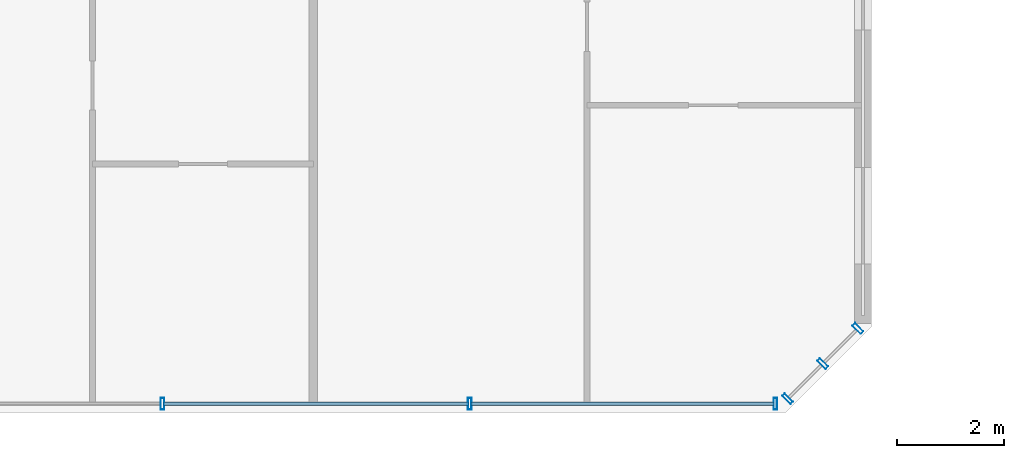
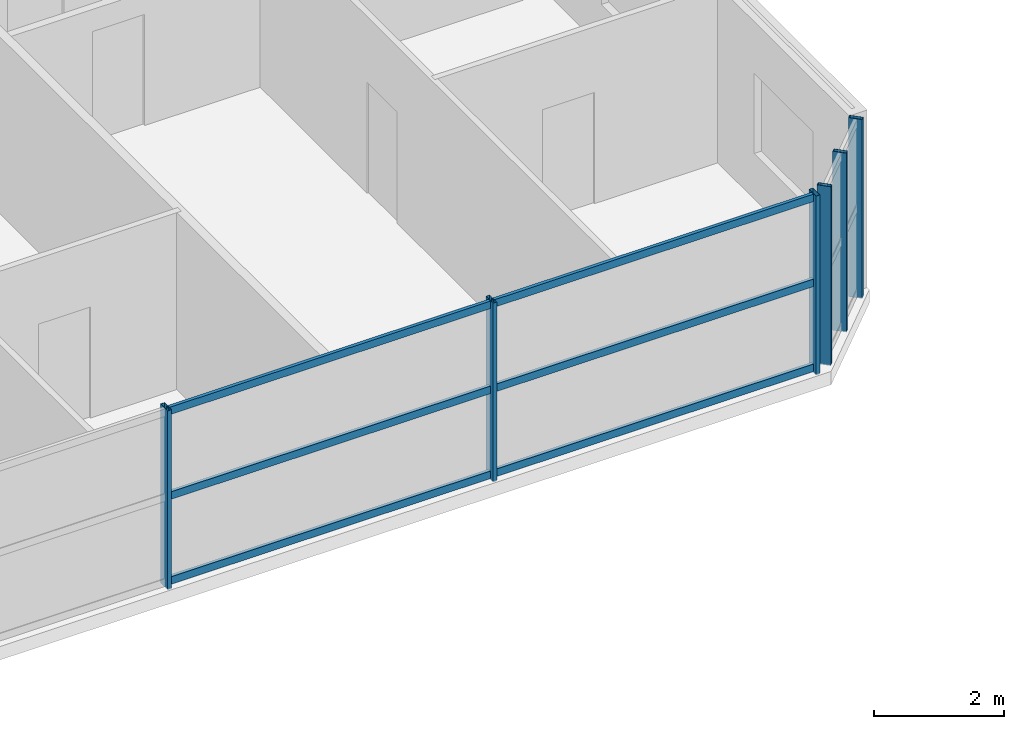
# One storey, part 6 of 21: 12 members, 2 elements without a shape of their own.
"""IFC4 building model written with IfcOpenShell, lengths in metres."""

from ifc_helpers import new_model, si_unit, direction, frame, origin, origin_2d, place, context, subcontext, project, spatial, hollow_rectangle, extrude, source, transform, mapped, material, material_profile, profile_set, type_object, element, aggregate, save


model = new_model("IFC4")

# Units and contexts
model_context = context("Model", 3, precision=1e-05, world=origin(), true_north=direction((0.0, 1.0)))
body_context = subcontext(model_context, "Body", "Model", "MODEL_VIEW")
ifc_project = project(units=[si_unit("LENGTHUNIT", "METRE"), si_unit("AREAUNIT", "SQUARE_METRE"), si_unit("VOLUMEUNIT", "CUBIC_METRE"), si_unit("PLANEANGLEUNIT", "RADIAN"), si_unit("MASSUNIT", "GRAM", prefix="KILO")], contexts=[model_context])

# Site, building, storey
site_placement = place(None, origin())
site = spatial("IfcSite", under=ifc_project, at=site_placement, CompositionType="ELEMENT")
building_placement = place(site_placement, origin())
building = spatial("IfcBuilding", under=site, at=building_placement, Name="Tlacorven Tower", CompositionType="ELEMENT")
storey_placement = place(building_placement, frame((0.0, 0.0, 81.0)))
storey = spatial("IfcBuildingStorey", under=building, at=storey_placement, Name="L20", CompositionType="ELEMENT", Elevation=81.0)

# Curtain wall, members
ifc_material_1 = material(Name="Dark solar low-E double glazing in aluminium frame", Category="aluminium")
curtain_wall_type = type_object("IfcCurtainWallType", Name="CW-TWR-LOW", PredefinedType="USERDEFINED", material=ifc_material_1)
curtain_wall_1_placement = place(storey_placement, origin())
curtain_wall_1 = element("IfcCurtainWall", 1, at=curtain_wall_1_placement, inside=storey, type_object=curtain_wall_type, Name="L20 CW-TWR-LOW Curtain Wall 108", ObjectType="UNITISED CURTAIN WALL", PredefinedType="USERDEFINED")
ifc_material_2 = material(Name="Aluminium 6063-T6 anodised", Category="aluminium")
ifc_material_profile_1 = material_profile(ifc_material_2, hollow_rectangle(XDim=0.06005859375, YDim=0.139892578125, WallThickness=0.00390625, at=origin_2d()), Name="ALU TRANSOM 60X140")
ifc_profile_set_1 = profile_set([ifc_material_profile_1], Name="Aluminium 6063-T6 anodised")
member_type_1 = type_object("IfcMemberType", Name="CWT-02", PredefinedType="USERDEFINED", material=ifc_profile_set_1)
shared_shape_1 = source(origin(), body_context, "Body", "SweptSolid", [
    extrude(hollow_rectangle(XDim=0.06005859375, YDim=0.139892578125, WallThickness=0.00390625, at=origin_2d()), origin(), (0.0, 0.0, 1.0), 5.6748046875),
])
member_1_placement = place(storey_placement, frame((50.57568359375, 1.9599609375, 0.070068359375), z_axis=(-1.0, 0.0, 0.0), x_axis=(0.0, -1.0, 0.0)))
member_1 = element("IfcMember", 2, at=member_1_placement, type_object=member_type_1, Name="CW-L20-108 Transom 1", ObjectType="TRANSOM", PredefinedType="USERDEFINED", context=body_context, shape_type="MappedRepresentation", body=[
    mapped(shared_shape_1, transform((0.0, 0.0, 0.0), scale=1.0)),
])
member_2_placement = place(storey_placement, frame((50.57568359375, 1.9599609375, 1.659912109375), z_axis=(-1.0, 0.0, 0.0), x_axis=(0.0, -1.0, 0.0)))
member_2 = element("IfcMember", 3, at=member_2_placement, type_object=member_type_1, Name="CW-L20-108 Transom 2", ObjectType="TRANSOM", PredefinedType="USERDEFINED", context=body_context, shape_type="MappedRepresentation", body=[
    mapped(shared_shape_1, transform((0.0, 0.0, 0.0), scale=1.0)),
])
member_3_placement = place(storey_placement, frame((50.57568359375, 1.9599609375, 3.25), z_axis=(-1.0, 0.0, 0.0), x_axis=(0.0, -1.0, 0.0)))
member_3 = element("IfcMember", 4, at=member_3_placement, type_object=member_type_1, Name="CW-L20-108 Transom 3", ObjectType="TRANSOM", PredefinedType="USERDEFINED", context=body_context, shape_type="MappedRepresentation", body=[
    mapped(shared_shape_1, transform((0.0, 0.0, 0.0), scale=1.0)),
])
shared_shape_2 = source(origin(), body_context, "Body", "SweptSolid", [
    extrude(hollow_rectangle(XDim=0.06005859375, YDim=0.139892578125, WallThickness=0.00390625, at=origin_2d()), origin(), (0.0, 0.0, 1.0), 5.7099609375),
])
member_4_placement = place(storey_placement, frame((44.85498046875, 1.9599609375, 0.070068359375), z_axis=(-1.0, 0.0, 0.0), x_axis=(0.0, -1.0, 0.0)))
member_4 = element("IfcMember", 5, at=member_4_placement, type_object=member_type_1, Name="CW-L20-108 Transom 4", ObjectType="TRANSOM", PredefinedType="USERDEFINED", context=body_context, shape_type="MappedRepresentation", body=[
    mapped(shared_shape_2, transform((0.0, 0.0, 0.0), scale=1.0)),
])
member_5_placement = place(storey_placement, frame((44.85498046875, 1.9599609375, 1.659912109375), z_axis=(-1.0, 0.0, 0.0), x_axis=(0.0, -1.0, 0.0)))
member_5 = element("IfcMember", 6, at=member_5_placement, type_object=member_type_1, Name="CW-L20-108 Transom 5", ObjectType="TRANSOM", PredefinedType="USERDEFINED", context=body_context, shape_type="MappedRepresentation", body=[
    mapped(shared_shape_2, transform((0.0, 0.0, 0.0), scale=1.0)),
])
member_6_placement = place(storey_placement, frame((44.85498046875, 1.9599609375, 3.25), z_axis=(-1.0, 0.0, 0.0), x_axis=(0.0, -1.0, 0.0)))
member_6 = element("IfcMember", 7, at=member_6_placement, type_object=member_type_1, Name="CW-L20-108 Transom 6", ObjectType="TRANSOM", PredefinedType="USERDEFINED", context=body_context, shape_type="MappedRepresentation", body=[
    mapped(shared_shape_2, transform((0.0, 0.0, 0.0), scale=1.0)),
])

curtain_wall_2_placement = place(storey_placement, origin())
curtain_wall_2 = element("IfcCurtainWall", 8, at=curtain_wall_2_placement, inside=storey, type_object=curtain_wall_type, Name="L20 CW-TWR-LOW Curtain Wall 107", ObjectType="UNITISED CURTAIN WALL", PredefinedType="USERDEFINED")
ifc_material_profile_2 = material_profile(ifc_material_2, hollow_rectangle(XDim=0.070068359375, YDim=0.219970703125, WallThickness=0.0048828125, at=origin_2d()), Name="ALU MULLION 70X220")
ifc_profile_set_2 = profile_set([ifc_material_profile_2], Name="Aluminium 6063-T6 anodised")
member_type_2 = type_object("IfcMemberType", Name="CWM-01", PredefinedType="MULLION", material=ifc_profile_set_2)
shared_shape_3 = source(origin(), body_context, "Body", "SweptSolid", [
    extrude(hollow_rectangle(XDim=0.070068359375, YDim=0.219970703125, WallThickness=0.0048828125, at=origin_2d()), origin(), (0.0, 0.0, 1.0), 3.35009765625),
])
member_7_placement = place(storey_placement, frame((52.14453125, 3.370849609375, -0.02001953125), z_axis=(0.0, 0.0, 1.0), x_axis=(-0.707106781187, -0.707106781187, 0.0)))
member_7 = element("IfcMember", 9, at=member_7_placement, type_object=member_type_2, Name="CW-L20-107 Mullion 1", PredefinedType="MULLION", context=body_context, shape_type="MappedRepresentation", body=[
    mapped(shared_shape_3, transform((0.0, 0.0, 0.0), scale=1.0)),
])
member_8_placement = place(storey_placement, frame((51.48681640625, 2.713134765625, -0.02001953125), z_axis=(0.0, 0.0, 1.0), x_axis=(-0.707106781187, -0.707106781187, 0.0)))
member_8 = element("IfcMember", 10, at=member_8_placement, type_object=member_type_2, Name="CW-L20-107 Mullion 2", PredefinedType="MULLION", context=body_context, shape_type="MappedRepresentation", body=[
    mapped(shared_shape_3, transform((0.0, 0.0, 0.0), scale=1.0)),
])
member_9_placement = place(storey_placement, frame((50.8291015625, 2.055419921875, -0.02001953125), z_axis=(0.0, 0.0, 1.0), x_axis=(-0.707106781187, -0.707106781187, 0.0)))
member_9 = element("IfcMember", 11, at=member_9_placement, type_object=member_type_2, Name="CW-L20-107 Mullion 3", PredefinedType="MULLION", context=body_context, shape_type="MappedRepresentation", body=[
    mapped(shared_shape_3, transform((0.0, 0.0, 0.0), scale=1.0)),
])
aggregate(curtain_wall_2, [member_7, member_8, member_9])

# Member
member_10_placement = place(storey_placement, frame((50.5986328125, 1.9599609375, -0.02001953125), z_axis=(0.0, 0.0, 1.0), x_axis=(-1.0, 0.0, 0.0)))
member_10 = element("IfcMember", 12, at=member_10_placement, type_object=member_type_2, Name="CW-L20-108 Mullion 1", PredefinedType="MULLION", context=body_context, shape_type="MappedRepresentation", body=[
    mapped(shared_shape_3, transform((0.0, 0.0, 0.0), scale=1.0)),
])

member_11_placement = place(storey_placement, frame((44.8779296875, 1.9599609375, -0.02001953125), z_axis=(0.0, 0.0, 1.0), x_axis=(-1.0, 0.0, 0.0)))
member_11 = element("IfcMember", 13, at=member_11_placement, type_object=member_type_2, Name="CW-L20-108 Mullion 2", PredefinedType="MULLION", context=body_context, shape_type="MappedRepresentation", body=[
    mapped(shared_shape_3, transform((0.0, 0.0, 0.0), scale=1.0)),
])

member_12_placement = place(storey_placement, frame((39.1220703125, 1.9599609375, -0.02001953125), z_axis=(0.0, 0.0, 1.0), x_axis=(-1.0, 0.0, 0.0)))
member_12 = element("IfcMember", 14, at=member_12_placement, type_object=member_type_2, Name="CW-L20-108 Mullion 3", PredefinedType="MULLION", context=body_context, shape_type="MappedRepresentation", body=[
    mapped(shared_shape_3, transform((0.0, 0.0, 0.0), scale=1.0)),
])

aggregate(curtain_wall_1, [member_10, member_11, member_12, member_1, member_2, member_3, member_4, member_5, member_6])

save(model, "model.ifc")
